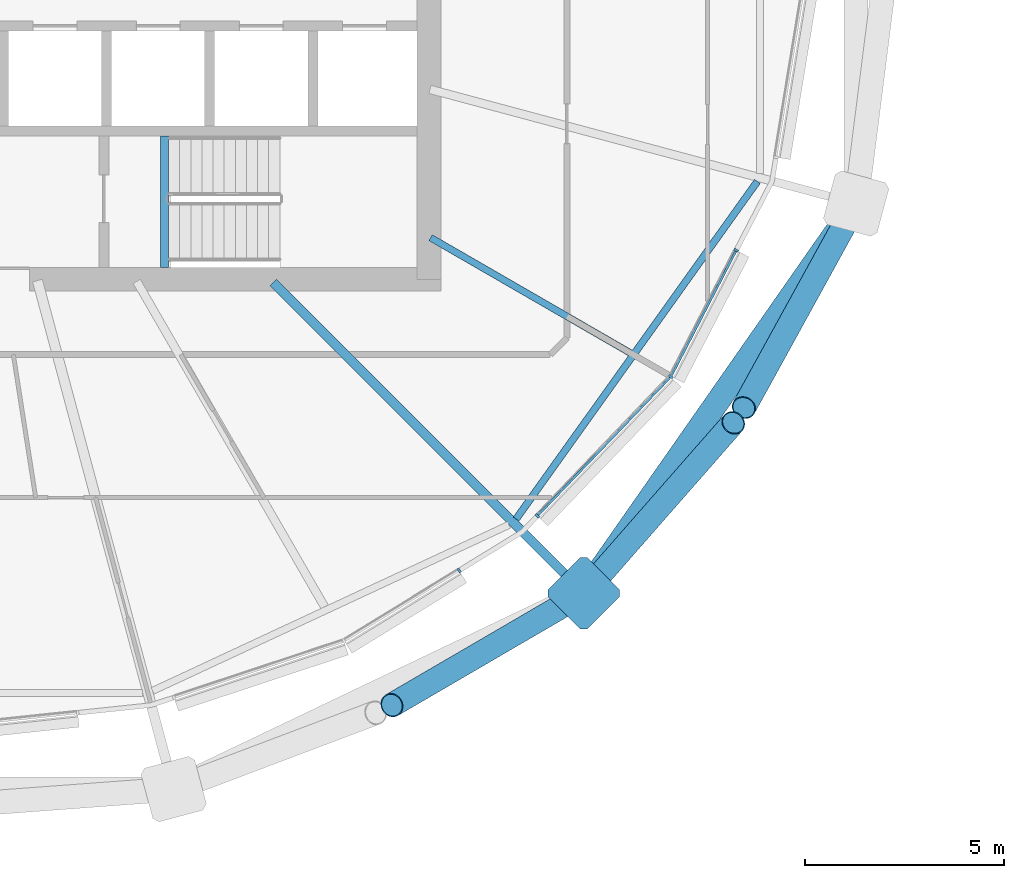
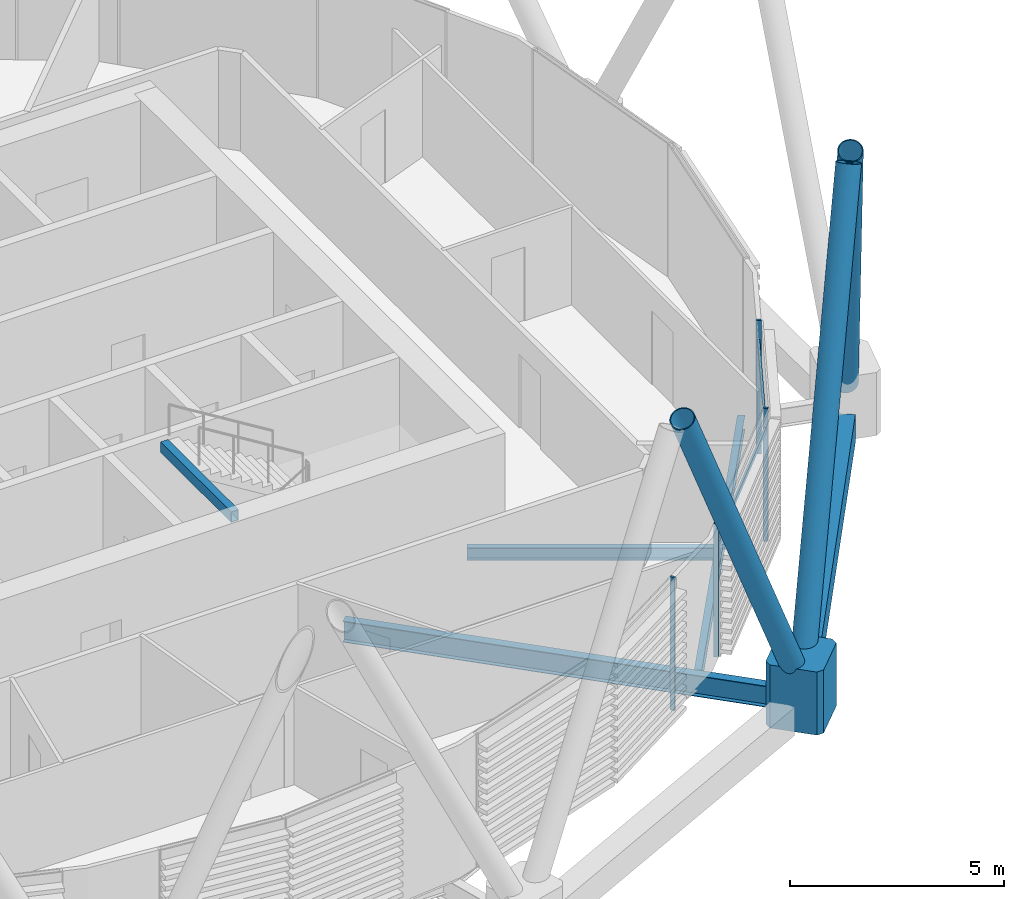
# One storey, part 6 of 36: 10 members, 5 beams, 1 element without a shape of its own.
"""IFC4 building model written with IfcOpenShell, lengths in metres."""

from ifc_helpers import new_model, si_unit, direction, frame, origin, origin_2d, place, context, subcontext, project, spatial, polyline, rectangle, hollow_rectangle, hollow_circle, i_section, outline, extrude, material, material_profile, profile_set, type_object, element, aggregate, save


model = new_model("IFC4")

# Units and contexts
model_context = context("Model", 3, precision=1e-05, world=origin(), true_north=direction((0.0, 1.0)))
body_context = subcontext(model_context, "Body", "Model", "MODEL_VIEW")
ifc_project = project(units=[si_unit("LENGTHUNIT", "METRE"), si_unit("AREAUNIT", "SQUARE_METRE"), si_unit("VOLUMEUNIT", "CUBIC_METRE"), si_unit("PLANEANGLEUNIT", "RADIAN"), si_unit("MASSUNIT", "GRAM", prefix="KILO")], contexts=[model_context])

# Site, building, storey
site_placement = place(None, origin())
site = spatial("IfcSite", under=ifc_project, at=site_placement, CompositionType="ELEMENT")
building_placement = place(site_placement, origin())
building = spatial("IfcBuilding", under=site, at=building_placement, Name="Rimbun Link Towers", CompositionType="ELEMENT")
storey_placement = place(building_placement, frame((0.0, 0.0, 193.10009765625)))
storey = spatial("IfcBuildingStorey", under=building, at=storey_placement, Name="L47", CompositionType="ELEMENT", Elevation=193.10009765625)

# Curtain wall, members
ifc_material_1 = material(Name="Aluminium 6063-T6 and low-iron glass", Category="aluminium")
curtain_wall_type = type_object("IfcCurtainWallType", Name="CW1-Z3 unitised vision wall (zone 3)", PredefinedType="NOTDEFINED", material=ifc_material_1)
curtain_wall_placement = place(storey_placement, origin())
curtain_wall = element("IfcCurtainWall", 1, at=curtain_wall_placement, inside=storey, type_object=curtain_wall_type, Name="CW1 L47 T1", PredefinedType="NOTDEFINED")
ifc_material_2 = material(Name="Aluminium 6063-T6", Category="aluminium")
ifc_material_profile_1 = material_profile(ifc_material_2, rectangle(XDim=0.1201171875, YDim=0.06005859375, at=origin_2d()), Name="MULLION 60X120")
ifc_profile_set_1 = profile_set([ifc_material_profile_1], Name="Aluminium 6063-T6")
member_type_1 = type_object("IfcMemberType", Name="CW1 mullion 60X120", PredefinedType="MULLION", material=ifc_profile_set_1)
member_1_placement = place(storey_placement, frame((-18.98681640625, -15.327392578125, 0.0), z_axis=(0.0, 0.0, 1.0), x_axis=(0.523229231966, -0.852191980023, 0.0)))
member_1 = element("IfcMember", 2, at=member_1_placement, type_object=member_type_1, Name="CW1 mullion", PredefinedType="MULLION", context=body_context, shape_type="SweptSolid", body=[
    extrude(rectangle(XDim=0.1201171875, YDim=0.06005859375, at=origin_2d()), origin(), (0.0, 0.0, 1.0), 3.7998046875),
])
member_2_placement = place(storey_placement, frame((-13.660888671875, -10.450439453125, 0.0), z_axis=(0.0, 0.0, 1.0), x_axis=(0.813350615069, -0.581773819423, 0.0)))
member_2 = element("IfcMember", 3, at=member_2_placement, type_object=member_type_1, Name="CW1 mullion", PredefinedType="MULLION", context=body_context, shape_type="SweptSolid", body=[
    extrude(rectangle(XDim=0.1201171875, YDim=0.06005859375, at=origin_2d()), origin(), (0.0, 0.0, 1.0), 3.7998046875),
])
member_3_placement = place(storey_placement, frame((-17.017578125, -13.952880859375, 0.0), z_axis=(0.0, 0.0, 1.0), x_axis=(0.721858505917, -0.692040676143, 0.0)))
member_3 = element("IfcMember", 4, at=member_3_placement, type_object=member_type_1, Name="CW1 mullion", PredefinedType="MULLION", context=body_context, shape_type="SweptSolid", body=[
    extrude(rectangle(XDim=0.1201171875, YDim=0.06005859375, at=origin_2d()), origin(), (0.0, 0.0, 1.0), 3.7998046875),
])
member_4_placement = place(storey_placement, frame((-12.015869140625, -7.27294921875, 0.0), z_axis=(0.0, 0.0, 1.0), x_axis=(0.888144973035, -0.459563387219, 0.0)))
member_4 = element("IfcMember", 5, at=member_4_placement, type_object=member_type_1, Name="CW1 mullion", PredefinedType="MULLION", context=body_context, shape_type="SweptSolid", body=[
    extrude(rectangle(XDim=0.1201171875, YDim=0.06005859375, at=origin_2d()), origin(), (0.0, 0.0, 1.0), 3.7998046875),
])
ifc_material_3 = material(Name="Aluminium 6063-T6", Category="aluminium")
ifc_material_profile_2 = material_profile(ifc_material_3, rectangle(XDim=0.06005859375, YDim=0.1201171875, at=origin_2d()), Name="TRANSOM 60X120")
ifc_profile_set_2 = profile_set([ifc_material_profile_2], Name="Aluminium 6063-T6")
member_type_2 = type_object("IfcMemberType", Name="CW1 transom 60X120", PredefinedType="USERDEFINED", material=ifc_profile_set_2)
member_5_placement = place(storey_placement, frame((-13.6884765625, -10.477294921875, 3.199951171875), z_axis=(-0.692018439281, -0.721879823582, 0.0), x_axis=(0.721879823582, -0.692018439281, 0.0)))
member_5 = element("IfcMember", 6, at=member_5_placement, type_object=member_type_2, Name="CW1 transom", ObjectType="TRANSOM", PredefinedType="USERDEFINED", context=body_context, shape_type="SweptSolid", body=[
    extrude(rectangle(XDim=0.06005859375, YDim=0.1201171875, at=origin_2d()), origin(), (0.0, 0.0, 1.0), 4.782958984375),
])
member_6_placement = place(storey_placement, frame((-12.031494140625, -7.298828125, 3.199951171875), z_axis=(-0.45958189222, -0.888135397529, 0.0), x_axis=(0.888135397529, -0.45958189222, 0.0)))
member_6 = element("IfcMember", 7, at=member_6_placement, type_object=member_type_2, Name="CW1 transom", ObjectType="TRANSOM", PredefinedType="USERDEFINED", context=body_context, shape_type="SweptSolid", body=[
    extrude(rectangle(XDim=0.06005859375, YDim=0.1201171875, at=origin_2d()), origin(), (0.0, 0.0, 1.0), 3.50927734375),
])
aggregate(curtain_wall, [member_1, member_2, member_3, member_4, member_5, member_6])

# Members
ifc_material_4 = material(Name="Steel S355J2H", Category="steel")
ifc_material_profile_3 = material_profile(ifc_material_4, hollow_circle(Radius=0.3046875, WallThickness=0.02490234375, at=origin_2d()), Name="Diagrid diagonal CHS 610x25")
ifc_profile_set_3 = profile_set([ifc_material_profile_3], Name="Steel S355J2H")
member_type_3 = type_object("IfcMemberType", Name="Diagrid diagonal CHS 610x25", PredefinedType="BRACE", material=ifc_profile_set_3)
member_7_placement = place(storey_placement, frame((-16.047119140625, -16.013916015625, 0.4453125), z_axis=(-0.392796143423, -0.228986247327, 0.890660703212), x_axis=(0.503633329111, -0.863917513313, 0.0)))
element("IfcMember", 8, at=member_7_placement, inside=storey, type_object=member_type_3, Name="Diagrid diagonal T1 L47-L50 21a", PredefinedType="BRACE", context=body_context, shape_type="SweptSolid", body=[
    extrude(hollow_circle(Radius=0.3046875, WallThickness=0.02490234375, at=origin_2d()), origin(), (0.0, 0.0, 1.0), 11.79931640625),
])
member_8_placement = place(storey_placement, frame((-15.698486328125, -15.7255859375, 0.443359375), z_axis=(0.304382608155, 0.347127188009, 0.887047881006), x_axis=(-0.751882503674, 0.659297126241, 0.0)))
element("IfcMember", 9, at=member_8_placement, inside=storey, type_object=member_type_3, Name="Diagrid diagonal T1 L47-L50 21b", PredefinedType="BRACE", context=body_context, shape_type="SweptSolid", body=[
    extrude(hollow_circle(Radius=0.3046875, WallThickness=0.02490234375, at=origin_2d()), origin(), (0.0, 0.0, 1.0), 11.8515625),
])
member_9_placement = place(storey_placement, frame((-9.113525390625, -6.302490234375, 0.44091796875), z_axis=(-0.227336281794, -0.413225190703, 0.881795416607), x_axis=(0.876160010299, -0.48202036923, 0.0)))
element("IfcMember", 10, at=member_9_placement, inside=storey, type_object=member_type_3, Name="Diagrid diagonal T1 L47-L50 23a", PredefinedType="BRACE", context=body_context, shape_type="SweptSolid", body=[
    extrude(hollow_circle(Radius=0.3046875, WallThickness=0.02490234375, at=origin_2d()), origin(), (0.0, 0.0, 1.0), 11.927978515625),
])
ifc_material_5 = material(Name="Cast steel G20Mn5+QT, Rp0.2 300 MPa", Category="steel")
ifc_material_profile_4 = material_profile(ifc_material_5, outline(polyline([(0.699951171875, -0.570068359375), (0.699951171875, 0.570068359375), (0.570068359375, 0.699951171875), (-0.570068359375, 0.699951171875), (-0.699951171875, 0.570068359375), (-0.699951171875, -0.570068359375), (-0.570068359375, -0.699951171875), (0.570068359375, -0.699951171875), (0.699951171875, -0.570068359375)])), Name="NODE 1400x1400")
ifc_profile_set_4 = profile_set([ifc_material_profile_4], Name="Cast steel G20Mn5+QT, Rp0.2 300 MPa")
member_type_4 = type_object("IfcMemberType", Name="Diagrid node cast 1400", PredefinedType="USERDEFINED", material=ifc_profile_set_4)
member_10_placement = place(storey_placement, frame((-15.8505859375, -15.8994140625, -0.900146484375), z_axis=(0.0, 0.0, 1.0), x_axis=(0.707106781187, -0.707106781187, 0.0)))
element("IfcMember", 11, at=member_10_placement, inside=storey, type_object=member_type_4, Name="Diagrid node L47 21", ObjectType="Diagrid node", PredefinedType="USERDEFINED", context=body_context, shape_type="SweptSolid", body=[
    extrude(outline(polyline([(0.699951171875, -0.570068359375), (0.699951171875, 0.570068359375), (0.570068359375, 0.699951171875), (-0.570068359375, 0.699951171875), (-0.699951171875, 0.570068359375), (-0.699951171875, -0.570068359375), (-0.570068359375, -0.699951171875), (0.570068359375, -0.699951171875), (0.699951171875, -0.570068359375)])), origin(), (0.0, 0.0, 1.0), 1.800048828125),
])

# Beams
ifc_material_6 = material(Name="Steel S355J2", Category="steel")
ifc_material_profile_5 = material_profile(ifc_material_6, hollow_rectangle(XDim=0.60009765625, YDim=0.800048828125, WallThickness=0.0400390625, at=origin_2d()), Name="Exoskeleton ring girder BOX 600x800x40")
ifc_profile_set_5 = profile_set([ifc_material_profile_5], Name="Steel S355J2")
beam_type_1 = type_object("IfcBeamType", Name="Exoskeleton ring girder BOX 600x800x40", PredefinedType="BEAM", material=ifc_profile_set_5)
beam_1_placement = place(storey_placement, frame((-15.44970703125, -15.325439453125, -0.56005859375), z_axis=(0.572813571844, 0.819685678728, 0.0), x_axis=(-0.819685678728, 0.572813571844, 0.0)))
element("IfcBeam", 12, at=beam_1_placement, inside=storey, type_object=beam_type_1, Name="Exoskeleton ring girder L47 08", PredefinedType="BEAM", context=body_context, shape_type="SweptSolid", body=[
    extrude(hollow_rectangle(XDim=0.60009765625, YDim=0.800048828125, WallThickness=0.0400390625, at=origin_2d()), origin(), (0.0, 0.0, 1.0), 10.559814453125),
])
ifc_material_7 = material(Name="Steel S355J2", Category="steel")
ifc_material_profile_6 = material_profile(ifc_material_7, hollow_rectangle(XDim=0.199951171875, YDim=0.300048828125, WallThickness=0.011962890625, at=origin_2d()), Name="BOX 300x200x12")
ifc_profile_set_6 = profile_set([ifc_material_profile_6], Name="Steel S355J2")
beam_type_2 = type_object("IfcBeamType", Name="Stair trimmer beam BOX 300x200x12", PredefinedType="BEAM", material=ifc_profile_set_6)
beam_2_placement = place(storey_placement, frame((-26.39990234375, -7.699951171875, 3.5), z_axis=(0.0, 1.0, 0.0), x_axis=(-1.0, 0.0, 0.0)))
element("IfcBeam", 13, at=beam_2_placement, inside=storey, type_object=beam_type_2, Name="L47 ST2 stair beam 1", PredefinedType="BEAM", context=body_context, shape_type="SweptSolid", body=[
    extrude(hollow_rectangle(XDim=0.199951171875, YDim=0.300048828125, WallThickness=0.011962890625, at=origin_2d()), origin(), (0.0, 0.0, 1.0), 3.300048828125),
])
ifc_material_8 = material(Name="Steel S355J2", Category="steel")
ifc_material_profile_7 = material_profile(ifc_material_8, i_section(OverallWidth=0.17138671875, OverallDepth=0.35498046875, WebThickness=0.00732421875, FlangeThickness=0.011474609375, at=origin_2d()), Name="UB 356x171x51")
ifc_profile_set_7 = profile_set([ifc_material_profile_7], Name="Steel S355J2")
beam_type_3 = type_object("IfcBeamType", Name="UB 356x171x51", PredefinedType="BEAM", material=ifc_profile_set_7)
beam_3_placement = place(storey_placement, frame((-19.706298828125, -6.95361328125, -0.32763671875), z_axis=(0.866028645513, -0.499994385119, 0.0), x_axis=(0.499994385119, 0.866028645513, 0.0)))
element("IfcBeam", 14, at=beam_3_placement, inside=storey, type_object=beam_type_3, Name="Radial beam T1 L47 22", PredefinedType="BEAM", context=body_context, shape_type="SweptSolid", body=[
    extrude(i_section(OverallWidth=0.17138671875, OverallDepth=0.35498046875, WebThickness=0.00732421875, FlangeThickness=0.011474609375, at=origin_2d()), origin(), (0.0, 0.0, 1.0), 5.802734375),
])
ifc_material_9 = material(Name="Steel S355J2", Category="steel")
ifc_material_profile_8 = material_profile(ifc_material_9, i_section(OverallWidth=0.177978515625, OverallDepth=0.406494140625, WebThickness=0.0078125, FlangeThickness=0.0126953125, at=origin_2d()), Name="UB 406x178x60")
ifc_profile_set_8 = profile_set([ifc_material_profile_8], Name="Steel S355J2")
beam_type_4 = type_object("IfcBeamType", Name="UB 406x178x60", PredefinedType="BEAM", material=ifc_profile_set_8)
beam_4_placement = place(storey_placement, frame((-17.5556640625, -14.031982421875, -0.353271484375), z_axis=(0.581457192376, 0.813576999082, 0.0), x_axis=(-0.813576999082, 0.581457192376, 0.0)))
element("IfcBeam", 15, at=beam_4_placement, inside=storey, type_object=beam_type_4, Name="Edge beam T1 L47 21-23", PredefinedType="BEAM", context=body_context, shape_type="SweptSolid", body=[
    extrude(i_section(OverallWidth=0.177978515625, OverallDepth=0.406494140625, WebThickness=0.0078125, FlangeThickness=0.0126953125, at=origin_2d()), origin(), (0.0, 0.0, 1.0), 10.43896484375),
])
ifc_material_10 = material(Name="Steel S355J2", Category="steel")
ifc_material_profile_9 = material_profile(ifc_material_10, i_section(OverallWidth=0.2275390625, OverallDepth=0.6025390625, WebThickness=0.010498046875, FlangeThickness=0.014892578125, at=origin_2d()), Name="UB 610x229x101")
ifc_profile_set_9 = profile_set([ifc_material_profile_9], Name="Steel S355J2")
beam_type_5 = type_object("IfcBeamType", Name="UB 610x229x101", PredefinedType="BEAM", material=ifc_profile_set_9)
beam_5_placement = place(storey_placement, frame((-23.668701171875, -8.081298828125, -0.451416015625), z_axis=(0.707106781187, -0.707106781187, 0.0), x_axis=(0.707106781187, 0.707106781187, 0.0)))
element("IfcBeam", 16, at=beam_5_placement, inside=storey, type_object=beam_type_5, Name="Radial beam T1 L47 21", PredefinedType="BEAM", context=body_context, shape_type="SweptSolid", body=[
    extrude(i_section(OverallWidth=0.2275390625, OverallDepth=0.6025390625, WebThickness=0.010498046875, FlangeThickness=0.014892578125, at=origin_2d()), origin(), (0.0, 0.0, 1.0), 10.55615234375),
])

save(model, "model.ifc")
